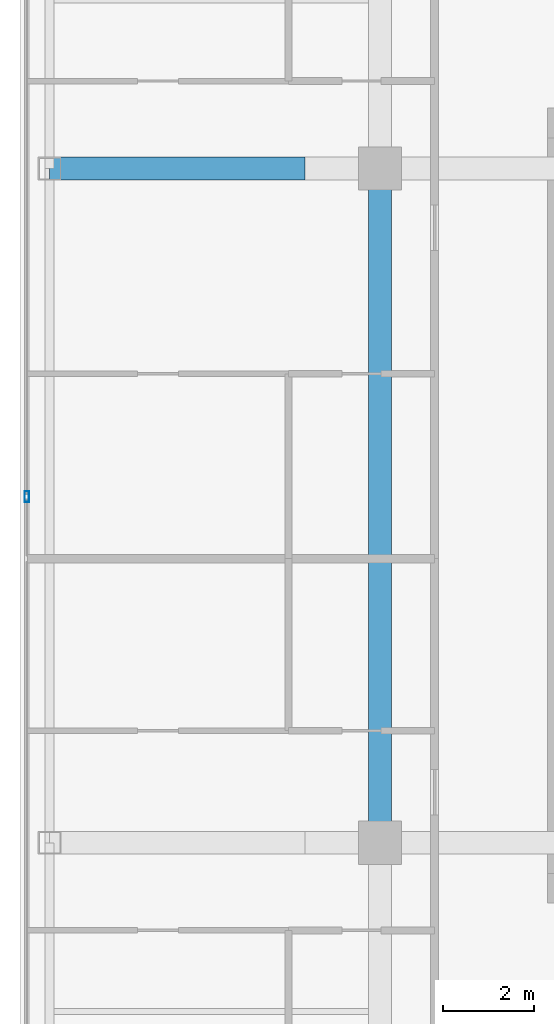
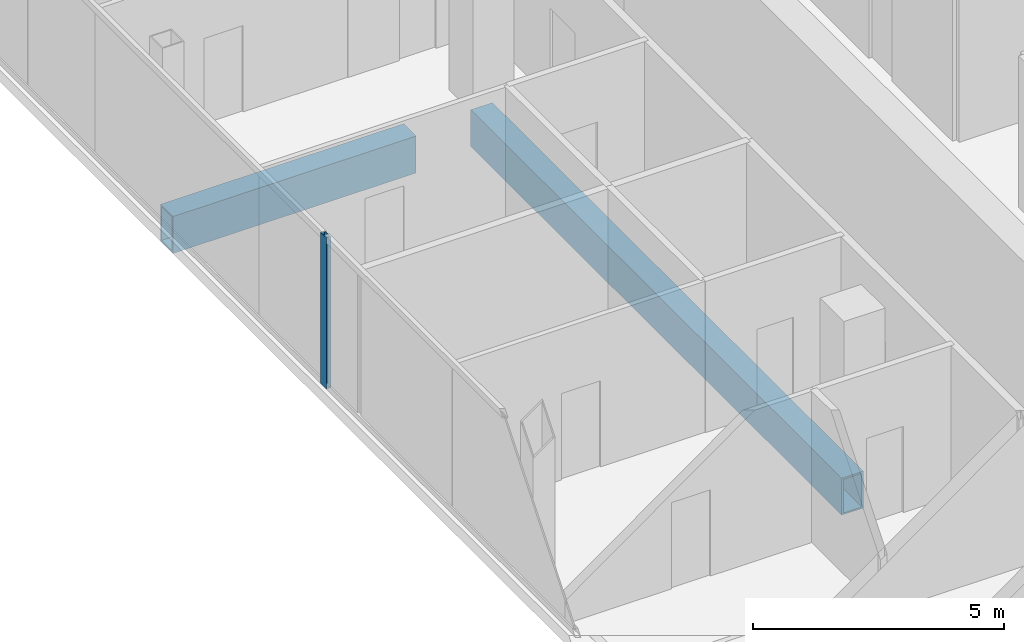
# One storey, part 6 of 24: 2 beams, 1 member, 1 element without a shape of its own.
"""IFC4 building model written with IfcOpenShell, lengths in metres."""

from ifc_helpers import new_model, si_unit, direction, frame, origin, origin_2d, place, context, subcontext, project, spatial, hollow_rectangle, extrude, material, layer, layer_set, material_profile, profile_set, type_object, element, aggregate, save


model = new_model("IFC4")

# Units and contexts
model_context = context("Model", 3, precision=1e-05, world=origin(), true_north=direction((0.0, 1.0)))
body_context = subcontext(model_context, "Body", "Model", "MODEL_VIEW")
ifc_project = project(units=[si_unit("LENGTHUNIT", "METRE"), si_unit("AREAUNIT", "SQUARE_METRE"), si_unit("VOLUMEUNIT", "CUBIC_METRE"), si_unit("PLANEANGLEUNIT", "RADIAN"), si_unit("MASSUNIT", "GRAM", prefix="KILO")], contexts=[model_context])

# Site, building, storey
site_placement = place(None, origin())
site = spatial("IfcSite", under=ifc_project, at=site_placement, CompositionType="ELEMENT")
building_placement = place(site_placement, origin())
building = spatial("IfcBuilding", under=site, at=building_placement, Name="Khorvyn Point Tower", CompositionType="ELEMENT")
storey_placement = place(building_placement, frame((0.0, 0.0, 285.89990234375)))
storey = spatial("IfcBuildingStorey", under=building, at=storey_placement, Name="L70", CompositionType="ELEMENT", Elevation=285.89990234375)

# Curtain wall, member
ifc_material_1 = material(Name="Anodised aluminium 6063-T6 and laminated Low-E glass", Category="aluminium")
ifc_layer = layer(ifc_material_1, 0.18994140625)
ifc_layer_set = layer_set([ifc_layer], Name="Stick-Built High-Wind Curtain Wall CW-SYS-04")
curtain_wall_type = type_object("IfcCurtainWallType", Name="Stick-Built High-Wind Curtain Wall CW-SYS-04", PredefinedType="NOTDEFINED", material=ifc_layer_set)
curtain_wall_placement = place(storey_placement, origin())
curtain_wall = element("IfcCurtainWall", 1, at=curtain_wall_placement, inside=storey, type_object=curtain_wall_type, Name="Curtain Wall", PredefinedType="NOTDEFINED")
ifc_material_2 = material(Name="Anodised aluminium 6063-T6", Category="aluminium")
ifc_material_profile_1 = material_profile(ifc_material_2, hollow_rectangle(XDim=0.10009765625, YDim=0.239990234375, WallThickness=0.0048828125, at=origin_2d()))
ifc_profile_set_1 = profile_set([ifc_material_profile_1], Name="Anodised aluminium 6063-T6 ALU-MUL-100x240")
member_type = type_object("IfcMemberType", Name="Anodised Aluminium 6063-T6 Mullion ALU-MUL-100x240", PredefinedType="MULLION", material=ifc_profile_set_1)
member_placement = place(storey_placement, frame((-22.550048828125, 0.199951171875, 0.0), z_axis=(0.0, 0.0, 1.0), x_axis=(-1.0, 0.0, 0.0)))
member = element("IfcMember", 2, at=member_placement, type_object=member_type, Name="Transom", PredefinedType="MULLION", context=body_context, shape_type="SweptSolid", body=[
    extrude(hollow_rectangle(XDim=0.10009765625, YDim=0.239990234375, WallThickness=0.0048828125, at=origin_2d()), origin(), (0.0, 0.0, 1.0), 3.68017578125),
])
aggregate(curtain_wall, [member])

# Beams
ifc_material_3 = material(Name="Steel S450", Category="steel")
ifc_material_profile_2 = material_profile(ifc_material_3, hollow_rectangle(XDim=0.5, YDim=0.89990234375, WallThickness=0.0400390625, at=origin_2d()))
ifc_profile_set_2 = profile_set([ifc_material_profile_2], Name="Steel S450 BOX900x500x40")
beam_type = type_object("IfcBeamType", Name="Steel S450 Beam BOX900x500x40", PredefinedType="BEAM", material=ifc_profile_set_2)
beam_1_placement = place(storey_placement, frame((-22.050048828125, 7.39990234375, -0.72998046875), z_axis=(1.0, 0.0, 0.0), x_axis=(0.0, 1.0, 0.0)))
element("IfcBeam", 3, at=beam_1_placement, inside=storey, type_object=beam_type, Name="Beam", PredefinedType="BEAM", context=body_context, shape_type="SweptSolid", body=[
    extrude(hollow_rectangle(XDim=0.5, YDim=0.89990234375, WallThickness=0.0400390625, at=origin_2d()), origin(), (0.0, 0.0, 1.0), 5.60009765625),
])
beam_2_placement = place(storey_placement, frame((-14.800048828125, -7.39990234375, -0.72998046875), z_axis=(0.0, 1.0, 0.0), x_axis=(-1.0, 0.0, 0.0)))
element("IfcBeam", 4, at=beam_2_placement, inside=storey, type_object=beam_type, Name="L70 Radial Transfer Girder", PredefinedType="BEAM", context=body_context, shape_type="SweptSolid", body=[
    extrude(hollow_rectangle(XDim=0.5, YDim=0.89990234375, WallThickness=0.0400390625, at=origin_2d()), origin(), (0.0, 0.0, 1.0), 14.7998046875),
])

save(model, "model.ifc")
